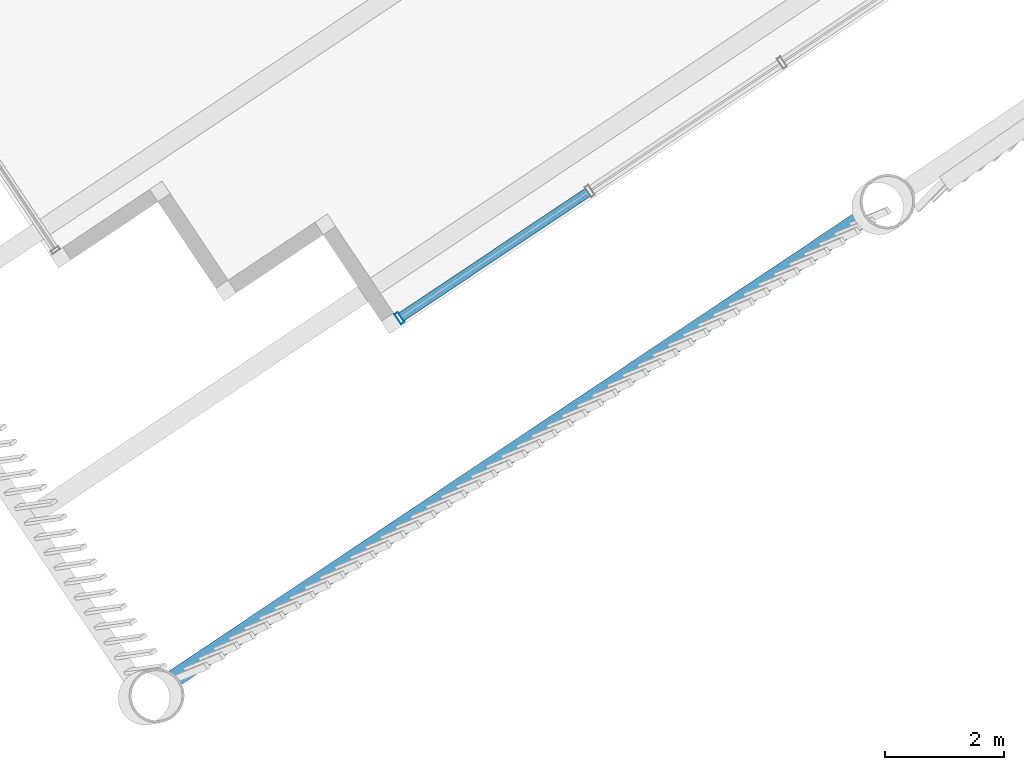
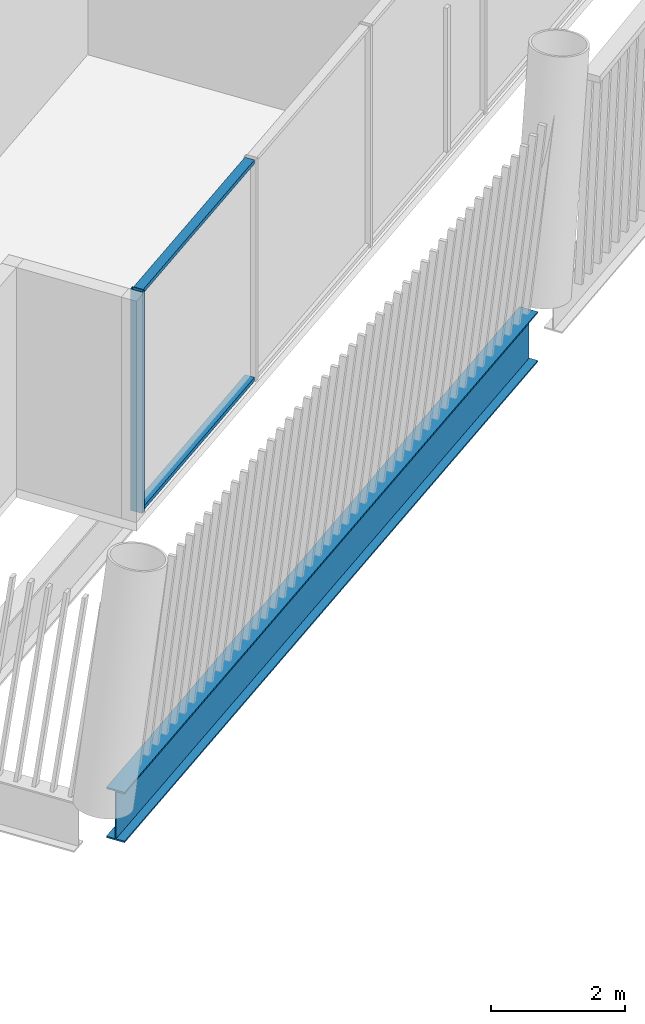
# One storey, part 7 of 28: 3 members, 1 beam, 1 element without a shape of its own.
"""IFC4 building model written with IfcOpenShell, lengths in metres."""

from ifc_helpers import new_model, si_unit, direction, frame, origin, origin_2d, place, context, subcontext, project, spatial, hollow_rectangle, i_section, extrude, material, layer, layer_set, material_profile, profile_set, type_object, element, aggregate, save


model = new_model("IFC4")

# Units and contexts
model_context = context("Model", 3, precision=1e-05, world=origin(), true_north=direction((0.0, 1.0)))
body_context = subcontext(model_context, "Body", "Model", "MODEL_VIEW")
ifc_project = project(units=[si_unit("LENGTHUNIT", "METRE"), si_unit("AREAUNIT", "SQUARE_METRE"), si_unit("VOLUMEUNIT", "CUBIC_METRE"), si_unit("PLANEANGLEUNIT", "RADIAN"), si_unit("MASSUNIT", "GRAM", prefix="KILO")], contexts=[model_context])

# Site, building, storey
site_placement = place(None, origin())
site = spatial("IfcSite", under=ifc_project, at=site_placement, CompositionType="ELEMENT")
building_placement = place(site_placement, origin())
building = spatial("IfcBuilding", under=site, at=building_placement, Name="Tarsis Ring Headquarters", CompositionType="ELEMENT")
storey_placement = place(building_placement, frame((0.0, 0.0, 365.0)))
storey = spatial("IfcBuildingStorey", under=building, at=storey_placement, Name="L86", CompositionType="ELEMENT", Elevation=365.0)

# Curtain wall, members
ifc_material_1 = material(Name="Aluminium curtain wall", Category="aluminium")
ifc_layer = layer(ifc_material_1, 0.199951171875)
ifc_layer_set = layer_set([ifc_layer], Name="Curtain wall executive tip")
curtain_wall_type = type_object("IfcCurtainWallType", Name="Curtain wall executive tip", PredefinedType="NOTDEFINED", material=ifc_layer_set)
curtain_wall_placement = place(storey_placement, origin())
curtain_wall = element("IfcCurtainWall", 1, at=curtain_wall_placement, inside=storey, type_object=curtain_wall_type, Name="Curtain wall L86-11", PredefinedType="NOTDEFINED")
ifc_material_2 = material(Name="Aluminium mullion", Category="aluminium")
ifc_material_profile_1 = material_profile(ifc_material_2, hollow_rectangle(XDim=0.199951171875, YDim=0.070068359375, WallThickness=0.0048828125, at=origin_2d()), Name="RHS 200x70x5")
ifc_profile_set_1 = profile_set([ifc_material_profile_1], Name="Aluminium mullion")
member_type_1 = type_object("IfcMemberType", Name="Curtain wall mullion executive tip RHS 200x70x5", PredefinedType="MULLION", material=ifc_profile_set_1)
member_1_placement = place(storey_placement, frame((11.29931640625, -30.787353515625, 0.0), z_axis=(0.0, 0.0, 1.0), x_axis=(-0.555715420705, 0.831372582655, 0.0)))
member_1 = element("IfcMember", 2, at=member_1_placement, type_object=member_type_1, Name="CW-E mullion 1", PredefinedType="MULLION", context=body_context, shape_type="SweptSolid", body=[
    extrude(hollow_rectangle(XDim=0.199951171875, YDim=0.070068359375, WallThickness=0.0048828125, at=origin_2d()), origin(), (0.0, 0.0, 1.0), 4.0400390625),
])
ifc_material_3 = material(Name="Aluminium transom", Category="aluminium")
ifc_material_profile_2 = material_profile(ifc_material_3, hollow_rectangle(XDim=0.159912109375, YDim=0.070068359375, WallThickness=0.0048828125, at=origin_2d()), Name="RHS 160x70x5")
ifc_profile_set_2 = profile_set([ifc_material_profile_2], Name="Aluminium transom")
member_type_2 = type_object("IfcMemberType", Name="Curtain wall transom executive tip RHS 160x70x5", PredefinedType="USERDEFINED", material=ifc_profile_set_2)
member_2_placement = place(storey_placement, frame((11.328369140625, -30.767822265625, 0.034912109375), z_axis=(0.831382171104, 0.555701075732, 0.0), x_axis=(-0.555701075732, 0.831382171104, 0.0)))
member_2 = element("IfcMember", 3, at=member_2_placement, type_object=member_type_2, Name="CW-E transom 1.1", ObjectType="TRANSOM", PredefinedType="USERDEFINED", context=body_context, shape_type="SweptSolid", body=[
    extrude(hollow_rectangle(XDim=0.159912109375, YDim=0.070068359375, WallThickness=0.0048828125, at=origin_2d()), origin(), (0.0, 0.0, 1.0), 3.77001953125),
])
member_3_placement = place(storey_placement, frame((11.328369140625, -30.767822265625, 4.0048828125), z_axis=(0.831382171104, 0.555701075732, 0.0), x_axis=(-0.555701075732, 0.831382171104, 0.0)))
member_3 = element("IfcMember", 4, at=member_3_placement, type_object=member_type_2, Name="CW-E transom 1.2", ObjectType="TRANSOM", PredefinedType="USERDEFINED", context=body_context, shape_type="SweptSolid", body=[
    extrude(hollow_rectangle(XDim=0.159912109375, YDim=0.070068359375, WallThickness=0.0048828125, at=origin_2d()), origin(), (0.0, 0.0, 1.0), 3.77001953125),
])
aggregate(curtain_wall, [member_1, member_2, member_3])

# Beam
ifc_material_4 = material(Name="Structural steel S355", Category="steel")
ifc_material_profile_3 = material_profile(ifc_material_4, i_section(OverallWidth=0.3046875, OverallDepth=0.91943359375, WebThickness=0.017333984375, FlangeThickness=0.02783203125, at=origin_2d()), Name="W36x170")
ifc_profile_set_3 = profile_set([ifc_material_profile_3], Name="Structural steel S355")
beam_type = type_object("IfcBeamType", Name="XG Ring girder W36x170", PredefinedType="BEAM", material=ifc_profile_set_3)
beam_placement = place(storey_placement, frame((7.376708984375, -36.927734375, -0.459716796875), z_axis=(0.831369791421, 0.55571959648, 0.0), x_axis=(-0.55571959648, 0.831369791421, 0.0)))
element("IfcBeam", 5, at=beam_placement, inside=storey, type_object=beam_type, Name="Ring girder XG4", PredefinedType="BEAM", context=body_context, shape_type="SweptSolid", body=[
    extrude(i_section(OverallWidth=0.3046875, OverallDepth=0.91943359375, WebThickness=0.017333984375, FlangeThickness=0.02783203125, at=origin_2d()), origin(), (0.0, 0.0, 1.0), 13.97705078125),
])

save(model, "model.ifc")
